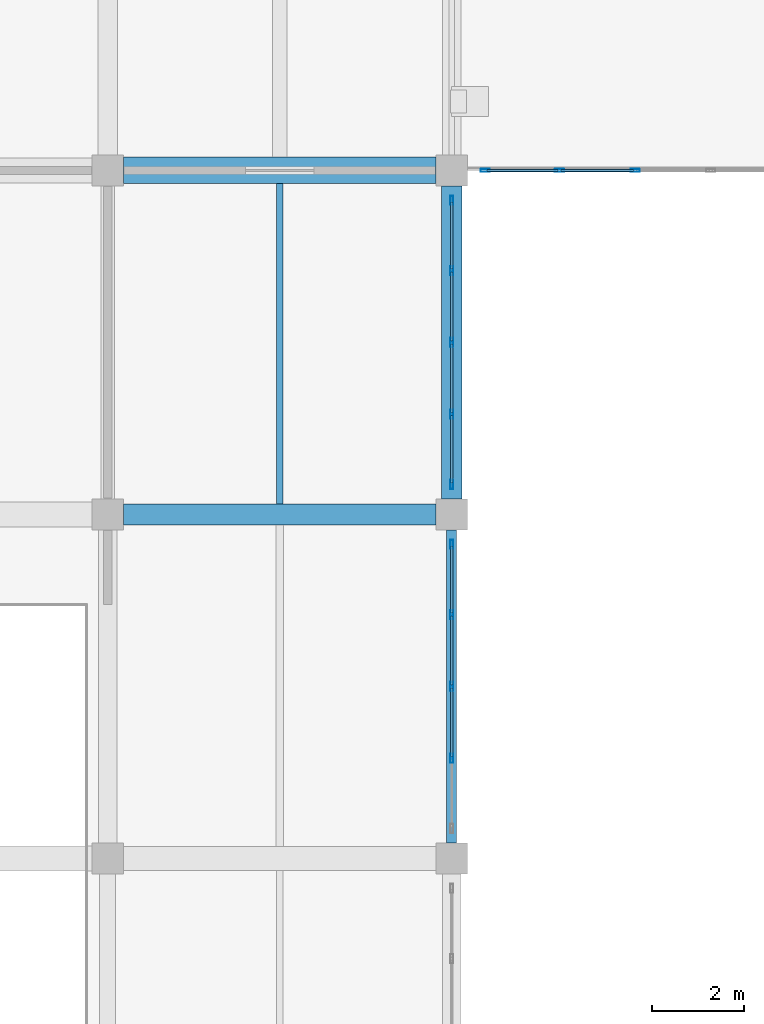
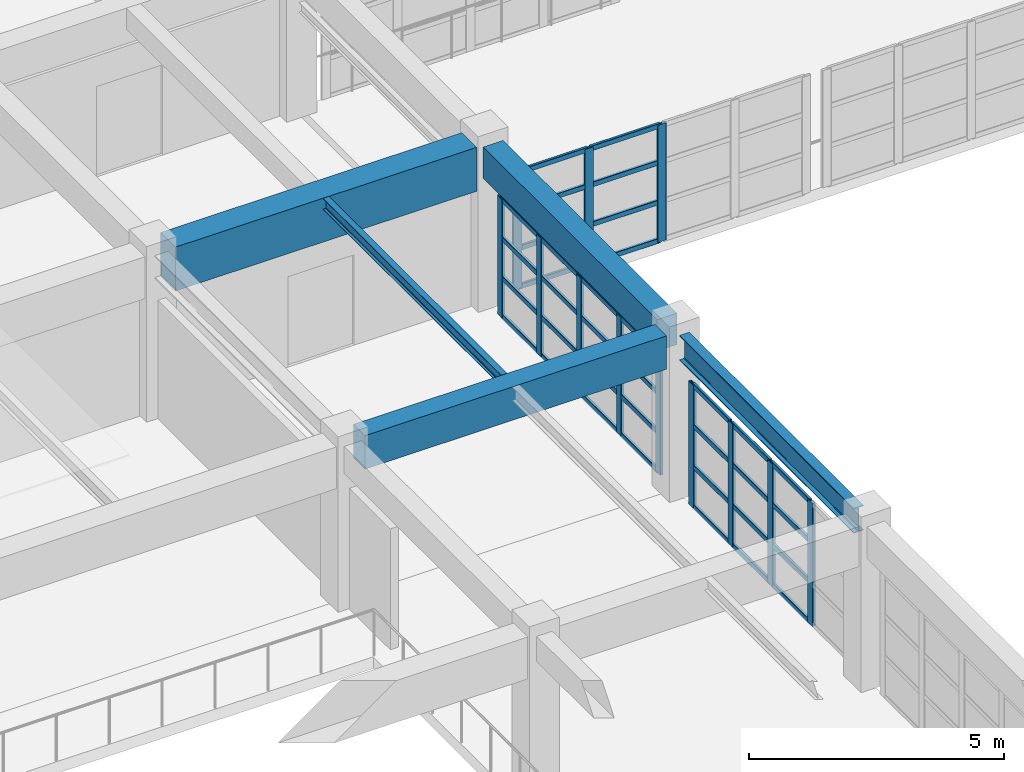
# One storey, part 11 of 132: 48 members, 5 beams, 3 elements without a shape of their own.
"""IFC4 building model written with IfcOpenShell, lengths in metres."""

from ifc_helpers import new_model, si_unit, direction, frame, origin, origin_2d, place, context, subcontext, project, spatial, rectangle, hollow_rectangle, i_section, extrude, material, material_profile, profile_set, type_object, element, aggregate, save


model = new_model("IFC4")

# Units and contexts
model_context = context("Model", 3, precision=1e-05, world=origin(), true_north=direction((0.0, 1.0)))
body_context = subcontext(model_context, "Body", "Model", "MODEL_VIEW")
ifc_project = project(units=[si_unit("LENGTHUNIT", "METRE"), si_unit("AREAUNIT", "SQUARE_METRE"), si_unit("VOLUMEUNIT", "CUBIC_METRE"), si_unit("PLANEANGLEUNIT", "RADIAN"), si_unit("MASSUNIT", "GRAM", prefix="KILO")], contexts=[model_context])

# Site, building, storey
site_placement = place(None, origin())
site = spatial("IfcSite", under=ifc_project, at=site_placement, CompositionType="ELEMENT")
building_placement = place(site_placement, origin())
building = spatial("IfcBuilding", under=site, at=building_placement, Name="Qasida Concert Hall", CompositionType="ELEMENT")
storey_placement = place(building_placement, frame((0.0, 0.0, 4.800048828125)))
storey = spatial("IfcBuildingStorey", under=building, at=storey_placement, Name="L01", CompositionType="ELEMENT", Elevation=4.800048828125)

# Beams
ifc_material_1 = material(Name="Concrete C40/50", Category="concrete")
ifc_material_profile_1 = material_profile(ifc_material_1, rectangle(XDim=0.449951171875, YDim=0.800048828125, at=origin_2d()), Name="RC 450x800")
ifc_profile_set_1 = profile_set([ifc_material_profile_1], Name="Concrete C40/50")
beam_type_1 = type_object("IfcBeamType", Name="BM-G2", PredefinedType="USERDEFINED", material=ifc_profile_set_1)
beam_1_placement = place(storey_placement, frame((30.340087890625, 22.5, 3.52001953125), z_axis=(1.0, 0.0, 0.0), x_axis=(0.0, 1.0, 0.0)))
element("IfcBeam", 1, at=beam_1_placement, inside=storey, type_object=beam_type_1, Name="Primary girder 0907", ObjectType="GIRDER", PredefinedType="USERDEFINED", context=body_context, shape_type="SweptSolid", body=[
    extrude(rectangle(XDim=0.449951171875, YDim=0.800048828125, at=origin_2d()), origin(), (0.0, 0.0, 1.0), 6.81982421875),
])
ifc_material_2 = material(Name="Concrete C50/60", Category="concrete")
ifc_material_profile_2 = material_profile(ifc_material_2, rectangle(XDim=0.580078125, YDim=1.050048828125, at=origin_2d()), Name="RC 580x1050")
ifc_profile_set_2 = profile_set([ifc_material_profile_2], Name="Concrete C50/60")
beam_type_2 = type_object("IfcBeamType", Name="BM-G8", PredefinedType="USERDEFINED", material=ifc_profile_set_2)
beam_2_placement = place(storey_placement, frame((30.340087890625, 30.0, 3.39501953125), z_axis=(1.0, 0.0, 0.0), x_axis=(0.0, 1.0, 0.0)))
element("IfcBeam", 2, at=beam_2_placement, inside=storey, type_object=beam_type_2, Name="Primary girder 0910", ObjectType="GIRDER", PredefinedType="USERDEFINED", context=body_context, shape_type="SweptSolid", body=[
    extrude(rectangle(XDim=0.580078125, YDim=1.050048828125, at=origin_2d()), origin(), (0.0, 0.0, 1.0), 6.81982421875),
])
ifc_material_3 = material(Name="Steel S355J2", Category="steel")
ifc_material_profile_3 = material_profile(ifc_material_3, i_section(OverallWidth=0.135009765625, OverallDepth=0.27001953125, WebThickness=0.006591796875, FlangeThickness=0.01025390625, FilletRadius=0.014892578125, at=origin_2d()), Name="IPE 270")
ifc_profile_set_3 = profile_set([ifc_material_profile_3], Name="Steel S355J2")
beam_type_3 = type_object("IfcBeamType", Name="BM-J6", PredefinedType="JOIST", material=ifc_profile_set_3)
beam_3_placement = place(storey_placement, frame((33.75, 22.72509765625, 3.784912109375), z_axis=(0.0, 1.0, 0.0), x_axis=(-1.0, 0.0, 0.0)))
element("IfcBeam", 3, at=beam_3_placement, inside=storey, type_object=beam_type_3, Name="L01 secondary joist 0973", PredefinedType="JOIST", context=body_context, shape_type="SweptSolid", body=[
    extrude(i_section(OverallWidth=0.135009765625, OverallDepth=0.27001953125, WebThickness=0.006591796875, FlangeThickness=0.01025390625, FilletRadius=0.014892578125, at=origin_2d()), origin(), (0.0, 0.0, 1.0), 6.98486328125),
])
ifc_material_profile_4 = material_profile(ifc_material_3, i_section(OverallWidth=0.219970703125, OverallDepth=0.60009765625, WebThickness=0.011962890625, FlangeThickness=0.01904296875, FilletRadius=0.02392578125, at=origin_2d()), Name="IPE 600")
ifc_profile_set_4 = profile_set([ifc_material_profile_4], Name="Steel S355J2")
beam_type_4 = type_object("IfcBeamType", Name="BM-SP3", PredefinedType="SPANDREL", material=ifc_profile_set_4)
beam_4_placement = place(storey_placement, frame((37.5, 15.340087890625, 3.619873046875), z_axis=(0.0, 1.0, 0.0), x_axis=(-1.0, 0.0, 0.0)))
element("IfcBeam", 4, at=beam_4_placement, inside=storey, type_object=beam_type_4, Name="L01 girder 0943", PredefinedType="SPANDREL", context=body_context, shape_type="SweptSolid", body=[
    extrude(i_section(OverallWidth=0.219970703125, OverallDepth=0.60009765625, WebThickness=0.011962890625, FlangeThickness=0.01904296875, FilletRadius=0.02392578125, at=origin_2d()), origin(), (0.0, 0.0, 1.0), 6.81982421875),
])
ifc_material_profile_5 = material_profile(ifc_material_1, rectangle(XDim=0.449951171875, YDim=0.75, at=origin_2d()), Name="RC 450x750")
ifc_profile_set_5 = profile_set([ifc_material_profile_5], Name="Concrete C40/50")
beam_type_5 = type_object("IfcBeamType", Name="BM-SP4", PredefinedType="SPANDREL", material=ifc_profile_set_5)
beam_5_placement = place(storey_placement, frame((37.5, 22.840087890625, 3.544921875), z_axis=(0.0, 1.0, 0.0), x_axis=(-1.0, 0.0, 0.0)))
element("IfcBeam", 5, at=beam_5_placement, inside=storey, type_object=beam_type_5, Name="L01 girder 0944", PredefinedType="SPANDREL", context=body_context, shape_type="SweptSolid", body=[
    extrude(rectangle(XDim=0.449951171875, YDim=0.75, at=origin_2d()), origin(), (0.0, 0.0, 1.0), 6.81982421875),
])

# Curtain wall, members
ifc_material_4 = material(Name="Architectural bronze-anodized aluminium and low-E glass", Category="aluminium")
curtain_wall_type_1 = type_object("IfcCurtainWallType", Name="CW-07", PredefinedType="NOTDEFINED", material=ifc_material_4)
curtain_wall_1_placement = place(storey_placement, origin())
curtain_wall_1 = element("IfcCurtainWall", 6, at=curtain_wall_1_placement, inside=storey, type_object=curtain_wall_type_1, Name="L01 curtain wall CW-07 0094", PredefinedType="NOTDEFINED")
ifc_material_5 = material(Name="Architectural bronze-anodized aluminium EN AW-6063", Category="aluminium")
ifc_material_profile_6 = material_profile(ifc_material_5, hollow_rectangle(XDim=0.06494140625, YDim=0.199951171875, WallThickness=0.0048828125, InnerFilletRadius=0.0048828125, OuterFilletRadius=0.010009765625, at=origin_2d()), Name="CWM 200x65x5")
ifc_profile_set_6 = profile_set([ifc_material_profile_6], Name="Architectural bronze-anodized aluminium EN AW-6063")
member_type_1 = type_object("IfcMemberType", Name="MB-CWM-2", PredefinedType="MULLION", material=ifc_profile_set_6)
member_1_placement = place(storey_placement, frame((37.5, 17.18505859375, 0.0), z_axis=(0.0, 0.0, 1.0), x_axis=(-1.0, 0.0, 0.0)))
member_1 = element("IfcMember", 7, at=member_1_placement, type_object=member_type_1, Name="CW-07 mullion 2", PredefinedType="MULLION", context=body_context, shape_type="SweptSolid", body=[
    extrude(hollow_rectangle(XDim=0.06494140625, YDim=0.199951171875, WallThickness=0.0048828125, InnerFilletRadius=0.0048828125, OuterFilletRadius=0.010009765625, at=origin_2d()), origin(), (0.0, 0.0, 1.0), 2.93994140625),
])
member_2_placement = place(storey_placement, frame((37.5, 18.75, 0.0), z_axis=(0.0, 0.0, 1.0), x_axis=(-1.0, 0.0, 0.0)))
member_2 = element("IfcMember", 8, at=member_2_placement, type_object=member_type_1, Name="CW-07 mullion 3", PredefinedType="MULLION", context=body_context, shape_type="SweptSolid", body=[
    extrude(hollow_rectangle(XDim=0.06494140625, YDim=0.199951171875, WallThickness=0.0048828125, InnerFilletRadius=0.0048828125, OuterFilletRadius=0.010009765625, at=origin_2d()), origin(), (0.0, 0.0, 1.0), 2.93994140625),
])
member_3_placement = place(storey_placement, frame((37.5, 20.31494140625, 0.0), z_axis=(0.0, 0.0, 1.0), x_axis=(-1.0, 0.0, 0.0)))
member_3 = element("IfcMember", 9, at=member_3_placement, type_object=member_type_1, Name="CW-07 mullion 4", PredefinedType="MULLION", context=body_context, shape_type="SweptSolid", body=[
    extrude(hollow_rectangle(XDim=0.06494140625, YDim=0.199951171875, WallThickness=0.0048828125, InnerFilletRadius=0.0048828125, OuterFilletRadius=0.010009765625, at=origin_2d()), origin(), (0.0, 0.0, 1.0), 2.93994140625),
])
member_4_placement = place(storey_placement, frame((37.5, 21.847412109375, 0.0), z_axis=(0.0, 0.0, 1.0), x_axis=(-1.0, 0.0, 0.0)))
member_4 = element("IfcMember", 10, at=member_4_placement, type_object=member_type_1, Name="CW-07 mullion 5", PredefinedType="MULLION", context=body_context, shape_type="SweptSolid", body=[
    extrude(hollow_rectangle(XDim=0.06494140625, YDim=0.199951171875, WallThickness=0.0048828125, InnerFilletRadius=0.0048828125, OuterFilletRadius=0.010009765625, at=origin_2d()), origin(), (0.0, 0.0, 1.0), 2.93994140625),
])

curtain_wall_2_placement = place(storey_placement, origin())
curtain_wall_2 = element("IfcCurtainWall", 11, at=curtain_wall_2_placement, inside=storey, type_object=curtain_wall_type_1, Name="L01 curtain wall CW-07 0095", PredefinedType="NOTDEFINED")
member_5_placement = place(storey_placement, frame((37.5, 23.152587890625, 0.0), z_axis=(0.0, 0.0, 1.0), x_axis=(-1.0, 0.0, 0.0)))
member_5 = element("IfcMember", 12, at=member_5_placement, type_object=member_type_1, Name="CW-07 mullion 1", PredefinedType="MULLION", context=body_context, shape_type="SweptSolid", body=[
    extrude(hollow_rectangle(XDim=0.06494140625, YDim=0.199951171875, WallThickness=0.0048828125, InnerFilletRadius=0.0048828125, OuterFilletRadius=0.010009765625, at=origin_2d()), origin(), (0.0, 0.0, 1.0), 2.83984375),
])
member_6_placement = place(storey_placement, frame((37.5, 24.68505859375, 0.0), z_axis=(0.0, 0.0, 1.0), x_axis=(-1.0, 0.0, 0.0)))
member_6 = element("IfcMember", 13, at=member_6_placement, type_object=member_type_1, Name="CW-07 mullion 2", PredefinedType="MULLION", context=body_context, shape_type="SweptSolid", body=[
    extrude(hollow_rectangle(XDim=0.06494140625, YDim=0.199951171875, WallThickness=0.0048828125, InnerFilletRadius=0.0048828125, OuterFilletRadius=0.010009765625, at=origin_2d()), origin(), (0.0, 0.0, 1.0), 2.83984375),
])
member_7_placement = place(storey_placement, frame((37.5, 26.25, 0.0), z_axis=(0.0, 0.0, 1.0), x_axis=(-1.0, 0.0, 0.0)))
member_7 = element("IfcMember", 14, at=member_7_placement, type_object=member_type_1, Name="CW-07 mullion 3", PredefinedType="MULLION", context=body_context, shape_type="SweptSolid", body=[
    extrude(hollow_rectangle(XDim=0.06494140625, YDim=0.199951171875, WallThickness=0.0048828125, InnerFilletRadius=0.0048828125, OuterFilletRadius=0.010009765625, at=origin_2d()), origin(), (0.0, 0.0, 1.0), 2.83984375),
])
member_8_placement = place(storey_placement, frame((37.5, 27.81494140625, 0.0), z_axis=(0.0, 0.0, 1.0), x_axis=(-1.0, 0.0, 0.0)))
member_8 = element("IfcMember", 15, at=member_8_placement, type_object=member_type_1, Name="CW-07 mullion 4", PredefinedType="MULLION", context=body_context, shape_type="SweptSolid", body=[
    extrude(hollow_rectangle(XDim=0.06494140625, YDim=0.199951171875, WallThickness=0.0048828125, InnerFilletRadius=0.0048828125, OuterFilletRadius=0.010009765625, at=origin_2d()), origin(), (0.0, 0.0, 1.0), 2.83984375),
])
member_9_placement = place(storey_placement, frame((37.5, 29.347412109375, 0.0), z_axis=(0.0, 0.0, 1.0), x_axis=(-1.0, 0.0, 0.0)))
member_9 = element("IfcMember", 16, at=member_9_placement, type_object=member_type_1, Name="CW-07 mullion 5", PredefinedType="MULLION", context=body_context, shape_type="SweptSolid", body=[
    extrude(hollow_rectangle(XDim=0.06494140625, YDim=0.199951171875, WallThickness=0.0048828125, InnerFilletRadius=0.0048828125, OuterFilletRadius=0.010009765625, at=origin_2d()), origin(), (0.0, 0.0, 1.0), 2.83984375),
])

curtain_wall_type_2 = type_object("IfcCurtainWallType", Name="CW-08", PredefinedType="NOTDEFINED", material=ifc_material_4)
curtain_wall_3_placement = place(storey_placement, origin())
curtain_wall_3 = element("IfcCurtainWall", 17, at=curtain_wall_3_placement, inside=storey, type_object=curtain_wall_type_2, Name="L01 link bridge glazing 0198", PredefinedType="NOTDEFINED")
member_10_placement = place(storey_placement, frame((38.232421875, 30.0, 0.0), z_axis=(0.0, 0.0, 1.0), x_axis=(0.0, 1.0, 0.0)))
member_10 = element("IfcMember", 18, at=member_10_placement, type_object=member_type_1, Name="CW-08 mullion 1", PredefinedType="MULLION", context=body_context, shape_type="SweptSolid", body=[
    extrude(hollow_rectangle(XDim=0.06494140625, YDim=0.199951171875, WallThickness=0.0048828125, InnerFilletRadius=0.0048828125, OuterFilletRadius=0.010009765625, at=origin_2d()), origin(), (0.0, 0.0, 1.0), 2.800048828125),
])
member_11_placement = place(storey_placement, frame((39.85009765625, 30.0, 0.0), z_axis=(0.0, 0.0, 1.0), x_axis=(0.0, 1.0, 0.0)))
member_11 = element("IfcMember", 19, at=member_11_placement, type_object=member_type_1, Name="CW-08 mullion 2", PredefinedType="MULLION", context=body_context, shape_type="SweptSolid", body=[
    extrude(hollow_rectangle(XDim=0.06494140625, YDim=0.199951171875, WallThickness=0.0048828125, InnerFilletRadius=0.0048828125, OuterFilletRadius=0.010009765625, at=origin_2d()), origin(), (0.0, 0.0, 1.0), 2.800048828125),
])
member_12_placement = place(storey_placement, frame((41.5, 30.0, 0.0), z_axis=(0.0, 0.0, 1.0), x_axis=(0.0, 1.0, 0.0)))
member_12 = element("IfcMember", 20, at=member_12_placement, type_object=member_type_1, Name="CW-08 mullion 3", PredefinedType="MULLION", context=body_context, shape_type="SweptSolid", body=[
    extrude(hollow_rectangle(XDim=0.06494140625, YDim=0.199951171875, WallThickness=0.0048828125, InnerFilletRadius=0.0048828125, OuterFilletRadius=0.010009765625, at=origin_2d()), origin(), (0.0, 0.0, 1.0), 2.800048828125),
])

# Member
ifc_material_profile_7 = material_profile(ifc_material_5, hollow_rectangle(XDim=0.06005859375, YDim=0.1201171875, WallThickness=0.00390625, InnerFilletRadius=0.00390625, OuterFilletRadius=0.008056640625, at=origin_2d()), Name="CWT 120x60x4")
ifc_profile_set_7 = profile_set([ifc_material_profile_7], Name="Architectural bronze-anodized aluminium EN AW-6063")
member_type_2 = type_object("IfcMemberType", Name="MB-CWT-2", PredefinedType="USERDEFINED", material=ifc_profile_set_7)
member_13_placement = place(storey_placement, frame((37.5, 17.217529296875, 0.030029296875), z_axis=(0.0, 1.0, 0.0), x_axis=(-1.0, 0.0, 0.0)))
member_13 = element("IfcMember", 21, at=member_13_placement, type_object=member_type_2, Name="CW-07 transom 2.1", ObjectType="TRANSOM", PredefinedType="USERDEFINED", context=body_context, shape_type="SweptSolid", body=[
    extrude(hollow_rectangle(XDim=0.06005859375, YDim=0.1201171875, WallThickness=0.00390625, InnerFilletRadius=0.00390625, OuterFilletRadius=0.008056640625, at=origin_2d()), origin(), (0.0, 0.0, 1.0), 1.5),
])

member_14_placement = place(storey_placement, frame((37.5, 17.217529296875, 0.97998046875), z_axis=(0.0, 1.0, 0.0), x_axis=(-1.0, 0.0, 0.0)))
member_14 = element("IfcMember", 22, at=member_14_placement, type_object=member_type_2, Name="CW-07 transom 2.2", ObjectType="TRANSOM", PredefinedType="USERDEFINED", context=body_context, shape_type="SweptSolid", body=[
    extrude(hollow_rectangle(XDim=0.06005859375, YDim=0.1201171875, WallThickness=0.00390625, InnerFilletRadius=0.00390625, OuterFilletRadius=0.008056640625, at=origin_2d()), origin(), (0.0, 0.0, 1.0), 1.5),
])

member_15_placement = place(storey_placement, frame((37.5, 17.217529296875, 1.9599609375), z_axis=(0.0, 1.0, 0.0), x_axis=(-1.0, 0.0, 0.0)))
member_15 = element("IfcMember", 23, at=member_15_placement, type_object=member_type_2, Name="CW-07 transom 2.3", ObjectType="TRANSOM", PredefinedType="USERDEFINED", context=body_context, shape_type="SweptSolid", body=[
    extrude(hollow_rectangle(XDim=0.06005859375, YDim=0.1201171875, WallThickness=0.00390625, InnerFilletRadius=0.00390625, OuterFilletRadius=0.008056640625, at=origin_2d()), origin(), (0.0, 0.0, 1.0), 1.5),
])

member_16_placement = place(storey_placement, frame((37.5, 17.217529296875, 2.909912109375), z_axis=(0.0, 1.0, 0.0), x_axis=(-1.0, 0.0, 0.0)))
member_16 = element("IfcMember", 24, at=member_16_placement, type_object=member_type_2, Name="CW-07 transom 2.4", ObjectType="TRANSOM", PredefinedType="USERDEFINED", context=body_context, shape_type="SweptSolid", body=[
    extrude(hollow_rectangle(XDim=0.06005859375, YDim=0.1201171875, WallThickness=0.00390625, InnerFilletRadius=0.00390625, OuterFilletRadius=0.008056640625, at=origin_2d()), origin(), (0.0, 0.0, 1.0), 1.5),
])

member_17_placement = place(storey_placement, frame((37.5, 18.782470703125, 0.030029296875), z_axis=(0.0, 1.0, 0.0), x_axis=(-1.0, 0.0, 0.0)))
member_17 = element("IfcMember", 25, at=member_17_placement, type_object=member_type_2, Name="CW-07 transom 3.1", ObjectType="TRANSOM", PredefinedType="USERDEFINED", context=body_context, shape_type="SweptSolid", body=[
    extrude(hollow_rectangle(XDim=0.06005859375, YDim=0.1201171875, WallThickness=0.00390625, InnerFilletRadius=0.00390625, OuterFilletRadius=0.008056640625, at=origin_2d()), origin(), (0.0, 0.0, 1.0), 1.5),
])

member_18_placement = place(storey_placement, frame((37.5, 18.782470703125, 0.97998046875), z_axis=(0.0, 1.0, 0.0), x_axis=(-1.0, 0.0, 0.0)))
member_18 = element("IfcMember", 26, at=member_18_placement, type_object=member_type_2, Name="CW-07 transom 3.2", ObjectType="TRANSOM", PredefinedType="USERDEFINED", context=body_context, shape_type="SweptSolid", body=[
    extrude(hollow_rectangle(XDim=0.06005859375, YDim=0.1201171875, WallThickness=0.00390625, InnerFilletRadius=0.00390625, OuterFilletRadius=0.008056640625, at=origin_2d()), origin(), (0.0, 0.0, 1.0), 1.5),
])

member_19_placement = place(storey_placement, frame((37.5, 18.782470703125, 1.9599609375), z_axis=(0.0, 1.0, 0.0), x_axis=(-1.0, 0.0, 0.0)))
member_19 = element("IfcMember", 27, at=member_19_placement, type_object=member_type_2, Name="CW-07 transom 3.3", ObjectType="TRANSOM", PredefinedType="USERDEFINED", context=body_context, shape_type="SweptSolid", body=[
    extrude(hollow_rectangle(XDim=0.06005859375, YDim=0.1201171875, WallThickness=0.00390625, InnerFilletRadius=0.00390625, OuterFilletRadius=0.008056640625, at=origin_2d()), origin(), (0.0, 0.0, 1.0), 1.5),
])

member_20_placement = place(storey_placement, frame((37.5, 18.782470703125, 2.909912109375), z_axis=(0.0, 1.0, 0.0), x_axis=(-1.0, 0.0, 0.0)))
member_20 = element("IfcMember", 28, at=member_20_placement, type_object=member_type_2, Name="CW-07 transom 3.4", ObjectType="TRANSOM", PredefinedType="USERDEFINED", context=body_context, shape_type="SweptSolid", body=[
    extrude(hollow_rectangle(XDim=0.06005859375, YDim=0.1201171875, WallThickness=0.00390625, InnerFilletRadius=0.00390625, OuterFilletRadius=0.008056640625, at=origin_2d()), origin(), (0.0, 0.0, 1.0), 1.5),
])

member_21_placement = place(storey_placement, frame((37.5, 20.347412109375, 0.030029296875), z_axis=(0.0, 1.0, 0.0), x_axis=(-1.0, 0.0, 0.0)))
member_21 = element("IfcMember", 29, at=member_21_placement, type_object=member_type_2, Name="CW-07 transom 4.1", ObjectType="TRANSOM", PredefinedType="USERDEFINED", context=body_context, shape_type="SweptSolid", body=[
    extrude(hollow_rectangle(XDim=0.06005859375, YDim=0.1201171875, WallThickness=0.00390625, InnerFilletRadius=0.00390625, OuterFilletRadius=0.008056640625, at=origin_2d()), origin(), (0.0, 0.0, 1.0), 1.467529296875),
])

member_22_placement = place(storey_placement, frame((37.5, 20.347412109375, 0.97998046875), z_axis=(0.0, 1.0, 0.0), x_axis=(-1.0, 0.0, 0.0)))
member_22 = element("IfcMember", 30, at=member_22_placement, type_object=member_type_2, Name="CW-07 transom 4.2", ObjectType="TRANSOM", PredefinedType="USERDEFINED", context=body_context, shape_type="SweptSolid", body=[
    extrude(hollow_rectangle(XDim=0.06005859375, YDim=0.1201171875, WallThickness=0.00390625, InnerFilletRadius=0.00390625, OuterFilletRadius=0.008056640625, at=origin_2d()), origin(), (0.0, 0.0, 1.0), 1.467529296875),
])

member_23_placement = place(storey_placement, frame((37.5, 20.347412109375, 1.9599609375), z_axis=(0.0, 1.0, 0.0), x_axis=(-1.0, 0.0, 0.0)))
member_23 = element("IfcMember", 31, at=member_23_placement, type_object=member_type_2, Name="CW-07 transom 4.3", ObjectType="TRANSOM", PredefinedType="USERDEFINED", context=body_context, shape_type="SweptSolid", body=[
    extrude(hollow_rectangle(XDim=0.06005859375, YDim=0.1201171875, WallThickness=0.00390625, InnerFilletRadius=0.00390625, OuterFilletRadius=0.008056640625, at=origin_2d()), origin(), (0.0, 0.0, 1.0), 1.467529296875),
])

member_24_placement = place(storey_placement, frame((37.5, 20.347412109375, 2.909912109375), z_axis=(0.0, 1.0, 0.0), x_axis=(-1.0, 0.0, 0.0)))
member_24 = element("IfcMember", 32, at=member_24_placement, type_object=member_type_2, Name="CW-07 transom 4.4", ObjectType="TRANSOM", PredefinedType="USERDEFINED", context=body_context, shape_type="SweptSolid", body=[
    extrude(hollow_rectangle(XDim=0.06005859375, YDim=0.1201171875, WallThickness=0.00390625, InnerFilletRadius=0.00390625, OuterFilletRadius=0.008056640625, at=origin_2d()), origin(), (0.0, 0.0, 1.0), 1.467529296875),
])

aggregate(curtain_wall_1, [member_1, member_2, member_3, member_4, member_13, member_14, member_15, member_16, member_17, member_18, member_19, member_20, member_21, member_22, member_23, member_24])

member_25_placement = place(storey_placement, frame((37.5, 23.18505859375, 0.030029296875), z_axis=(0.0, 1.0, 0.0), x_axis=(-1.0, 0.0, 0.0)))
member_25 = element("IfcMember", 33, at=member_25_placement, type_object=member_type_2, Name="CW-07 transom 1.1", ObjectType="TRANSOM", PredefinedType="USERDEFINED", context=body_context, shape_type="SweptSolid", body=[
    extrude(hollow_rectangle(XDim=0.06005859375, YDim=0.1201171875, WallThickness=0.00390625, InnerFilletRadius=0.00390625, OuterFilletRadius=0.008056640625, at=origin_2d()), origin(), (0.0, 0.0, 1.0), 1.467529296875),
])

member_26_placement = place(storey_placement, frame((37.5, 23.18505859375, 0.946533203125), z_axis=(0.0, 1.0, 0.0), x_axis=(-1.0, 0.0, 0.0)))
member_26 = element("IfcMember", 34, at=member_26_placement, type_object=member_type_2, Name="CW-07 transom 1.2", ObjectType="TRANSOM", PredefinedType="USERDEFINED", context=body_context, shape_type="SweptSolid", body=[
    extrude(hollow_rectangle(XDim=0.06005859375, YDim=0.1201171875, WallThickness=0.00390625, InnerFilletRadius=0.00390625, OuterFilletRadius=0.008056640625, at=origin_2d()), origin(), (0.0, 0.0, 1.0), 1.467529296875),
])

member_27_placement = place(storey_placement, frame((37.5, 23.18505859375, 1.893310546875), z_axis=(0.0, 1.0, 0.0), x_axis=(-1.0, 0.0, 0.0)))
member_27 = element("IfcMember", 35, at=member_27_placement, type_object=member_type_2, Name="CW-07 transom 1.3", ObjectType="TRANSOM", PredefinedType="USERDEFINED", context=body_context, shape_type="SweptSolid", body=[
    extrude(hollow_rectangle(XDim=0.06005859375, YDim=0.1201171875, WallThickness=0.00390625, InnerFilletRadius=0.00390625, OuterFilletRadius=0.008056640625, at=origin_2d()), origin(), (0.0, 0.0, 1.0), 1.467529296875),
])

member_28_placement = place(storey_placement, frame((37.5, 23.18505859375, 2.81005859375), z_axis=(0.0, 1.0, 0.0), x_axis=(-1.0, 0.0, 0.0)))
member_28 = element("IfcMember", 36, at=member_28_placement, type_object=member_type_2, Name="CW-07 transom 1.4", ObjectType="TRANSOM", PredefinedType="USERDEFINED", context=body_context, shape_type="SweptSolid", body=[
    extrude(hollow_rectangle(XDim=0.06005859375, YDim=0.1201171875, WallThickness=0.00390625, InnerFilletRadius=0.00390625, OuterFilletRadius=0.008056640625, at=origin_2d()), origin(), (0.0, 0.0, 1.0), 1.467529296875),
])

member_29_placement = place(storey_placement, frame((37.5, 24.717529296875, 0.030029296875), z_axis=(0.0, 1.0, 0.0), x_axis=(-1.0, 0.0, 0.0)))
member_29 = element("IfcMember", 37, at=member_29_placement, type_object=member_type_2, Name="CW-07 transom 2.1", ObjectType="TRANSOM", PredefinedType="USERDEFINED", context=body_context, shape_type="SweptSolid", body=[
    extrude(hollow_rectangle(XDim=0.06005859375, YDim=0.1201171875, WallThickness=0.00390625, InnerFilletRadius=0.00390625, OuterFilletRadius=0.008056640625, at=origin_2d()), origin(), (0.0, 0.0, 1.0), 1.5),
])

member_30_placement = place(storey_placement, frame((37.5, 24.717529296875, 0.946533203125), z_axis=(0.0, 1.0, 0.0), x_axis=(-1.0, 0.0, 0.0)))
member_30 = element("IfcMember", 38, at=member_30_placement, type_object=member_type_2, Name="CW-07 transom 2.2", ObjectType="TRANSOM", PredefinedType="USERDEFINED", context=body_context, shape_type="SweptSolid", body=[
    extrude(hollow_rectangle(XDim=0.06005859375, YDim=0.1201171875, WallThickness=0.00390625, InnerFilletRadius=0.00390625, OuterFilletRadius=0.008056640625, at=origin_2d()), origin(), (0.0, 0.0, 1.0), 1.5),
])

member_31_placement = place(storey_placement, frame((37.5, 24.717529296875, 1.893310546875), z_axis=(0.0, 1.0, 0.0), x_axis=(-1.0, 0.0, 0.0)))
member_31 = element("IfcMember", 39, at=member_31_placement, type_object=member_type_2, Name="CW-07 transom 2.3", ObjectType="TRANSOM", PredefinedType="USERDEFINED", context=body_context, shape_type="SweptSolid", body=[
    extrude(hollow_rectangle(XDim=0.06005859375, YDim=0.1201171875, WallThickness=0.00390625, InnerFilletRadius=0.00390625, OuterFilletRadius=0.008056640625, at=origin_2d()), origin(), (0.0, 0.0, 1.0), 1.5),
])

member_32_placement = place(storey_placement, frame((37.5, 24.717529296875, 2.81005859375), z_axis=(0.0, 1.0, 0.0), x_axis=(-1.0, 0.0, 0.0)))
member_32 = element("IfcMember", 40, at=member_32_placement, type_object=member_type_2, Name="CW-07 transom 2.4", ObjectType="TRANSOM", PredefinedType="USERDEFINED", context=body_context, shape_type="SweptSolid", body=[
    extrude(hollow_rectangle(XDim=0.06005859375, YDim=0.1201171875, WallThickness=0.00390625, InnerFilletRadius=0.00390625, OuterFilletRadius=0.008056640625, at=origin_2d()), origin(), (0.0, 0.0, 1.0), 1.5),
])

member_33_placement = place(storey_placement, frame((37.5, 26.282470703125, 0.030029296875), z_axis=(0.0, 1.0, 0.0), x_axis=(-1.0, 0.0, 0.0)))
member_33 = element("IfcMember", 41, at=member_33_placement, type_object=member_type_2, Name="CW-07 transom 3.1", ObjectType="TRANSOM", PredefinedType="USERDEFINED", context=body_context, shape_type="SweptSolid", body=[
    extrude(hollow_rectangle(XDim=0.06005859375, YDim=0.1201171875, WallThickness=0.00390625, InnerFilletRadius=0.00390625, OuterFilletRadius=0.008056640625, at=origin_2d()), origin(), (0.0, 0.0, 1.0), 1.5),
])

member_34_placement = place(storey_placement, frame((37.5, 26.282470703125, 0.946533203125), z_axis=(0.0, 1.0, 0.0), x_axis=(-1.0, 0.0, 0.0)))
member_34 = element("IfcMember", 42, at=member_34_placement, type_object=member_type_2, Name="CW-07 transom 3.2", ObjectType="TRANSOM", PredefinedType="USERDEFINED", context=body_context, shape_type="SweptSolid", body=[
    extrude(hollow_rectangle(XDim=0.06005859375, YDim=0.1201171875, WallThickness=0.00390625, InnerFilletRadius=0.00390625, OuterFilletRadius=0.008056640625, at=origin_2d()), origin(), (0.0, 0.0, 1.0), 1.5),
])

member_35_placement = place(storey_placement, frame((37.5, 26.282470703125, 1.893310546875), z_axis=(0.0, 1.0, 0.0), x_axis=(-1.0, 0.0, 0.0)))
member_35 = element("IfcMember", 43, at=member_35_placement, type_object=member_type_2, Name="CW-07 transom 3.3", ObjectType="TRANSOM", PredefinedType="USERDEFINED", context=body_context, shape_type="SweptSolid", body=[
    extrude(hollow_rectangle(XDim=0.06005859375, YDim=0.1201171875, WallThickness=0.00390625, InnerFilletRadius=0.00390625, OuterFilletRadius=0.008056640625, at=origin_2d()), origin(), (0.0, 0.0, 1.0), 1.5),
])

member_36_placement = place(storey_placement, frame((37.5, 26.282470703125, 2.81005859375), z_axis=(0.0, 1.0, 0.0), x_axis=(-1.0, 0.0, 0.0)))
member_36 = element("IfcMember", 44, at=member_36_placement, type_object=member_type_2, Name="CW-07 transom 3.4", ObjectType="TRANSOM", PredefinedType="USERDEFINED", context=body_context, shape_type="SweptSolid", body=[
    extrude(hollow_rectangle(XDim=0.06005859375, YDim=0.1201171875, WallThickness=0.00390625, InnerFilletRadius=0.00390625, OuterFilletRadius=0.008056640625, at=origin_2d()), origin(), (0.0, 0.0, 1.0), 1.5),
])

member_37_placement = place(storey_placement, frame((37.5, 27.847412109375, 0.030029296875), z_axis=(0.0, 1.0, 0.0), x_axis=(-1.0, 0.0, 0.0)))
member_37 = element("IfcMember", 45, at=member_37_placement, type_object=member_type_2, Name="CW-07 transom 4.1", ObjectType="TRANSOM", PredefinedType="USERDEFINED", context=body_context, shape_type="SweptSolid", body=[
    extrude(hollow_rectangle(XDim=0.06005859375, YDim=0.1201171875, WallThickness=0.00390625, InnerFilletRadius=0.00390625, OuterFilletRadius=0.008056640625, at=origin_2d()), origin(), (0.0, 0.0, 1.0), 1.467529296875),
])

member_38_placement = place(storey_placement, frame((37.5, 27.847412109375, 0.946533203125), z_axis=(0.0, 1.0, 0.0), x_axis=(-1.0, 0.0, 0.0)))
member_38 = element("IfcMember", 46, at=member_38_placement, type_object=member_type_2, Name="CW-07 transom 4.2", ObjectType="TRANSOM", PredefinedType="USERDEFINED", context=body_context, shape_type="SweptSolid", body=[
    extrude(hollow_rectangle(XDim=0.06005859375, YDim=0.1201171875, WallThickness=0.00390625, InnerFilletRadius=0.00390625, OuterFilletRadius=0.008056640625, at=origin_2d()), origin(), (0.0, 0.0, 1.0), 1.467529296875),
])

member_39_placement = place(storey_placement, frame((37.5, 27.847412109375, 1.893310546875), z_axis=(0.0, 1.0, 0.0), x_axis=(-1.0, 0.0, 0.0)))
member_39 = element("IfcMember", 47, at=member_39_placement, type_object=member_type_2, Name="CW-07 transom 4.3", ObjectType="TRANSOM", PredefinedType="USERDEFINED", context=body_context, shape_type="SweptSolid", body=[
    extrude(hollow_rectangle(XDim=0.06005859375, YDim=0.1201171875, WallThickness=0.00390625, InnerFilletRadius=0.00390625, OuterFilletRadius=0.008056640625, at=origin_2d()), origin(), (0.0, 0.0, 1.0), 1.467529296875),
])

member_40_placement = place(storey_placement, frame((37.5, 27.847412109375, 2.81005859375), z_axis=(0.0, 1.0, 0.0), x_axis=(-1.0, 0.0, 0.0)))
member_40 = element("IfcMember", 48, at=member_40_placement, type_object=member_type_2, Name="CW-07 transom 4.4", ObjectType="TRANSOM", PredefinedType="USERDEFINED", context=body_context, shape_type="SweptSolid", body=[
    extrude(hollow_rectangle(XDim=0.06005859375, YDim=0.1201171875, WallThickness=0.00390625, InnerFilletRadius=0.00390625, OuterFilletRadius=0.008056640625, at=origin_2d()), origin(), (0.0, 0.0, 1.0), 1.467529296875),
])

aggregate(curtain_wall_2, [member_5, member_6, member_7, member_8, member_9, member_25, member_26, member_27, member_28, member_29, member_30, member_31, member_32, member_33, member_34, member_35, member_36, member_37, member_38, member_39, member_40])

member_41_placement = place(storey_placement, frame((38.264892578125, 30.0, 0.030029296875), z_axis=(1.0, 0.0, 0.0), x_axis=(0.0, 1.0, 0.0)))
member_41 = element("IfcMember", 49, at=member_41_placement, type_object=member_type_2, Name="CW-08 transom 1.1", ObjectType="TRANSOM", PredefinedType="USERDEFINED", context=body_context, shape_type="SweptSolid", body=[
    extrude(hollow_rectangle(XDim=0.06005859375, YDim=0.1201171875, WallThickness=0.00390625, InnerFilletRadius=0.00390625, OuterFilletRadius=0.008056640625, at=origin_2d()), origin(), (0.0, 0.0, 1.0), 1.552490234375),
])

member_42_placement = place(storey_placement, frame((38.264892578125, 30.0, 0.949951171875), z_axis=(1.0, 0.0, 0.0), x_axis=(0.0, 1.0, 0.0)))
member_42 = element("IfcMember", 50, at=member_42_placement, type_object=member_type_2, Name="CW-08 transom 1.2", ObjectType="TRANSOM", PredefinedType="USERDEFINED", context=body_context, shape_type="SweptSolid", body=[
    extrude(hollow_rectangle(XDim=0.06005859375, YDim=0.1201171875, WallThickness=0.00390625, InnerFilletRadius=0.00390625, OuterFilletRadius=0.008056640625, at=origin_2d()), origin(), (0.0, 0.0, 1.0), 1.552490234375),
])

member_43_placement = place(storey_placement, frame((38.264892578125, 30.0, 1.89990234375), z_axis=(1.0, 0.0, 0.0), x_axis=(0.0, 1.0, 0.0)))
member_43 = element("IfcMember", 51, at=member_43_placement, type_object=member_type_2, Name="CW-08 transom 1.3", ObjectType="TRANSOM", PredefinedType="USERDEFINED", context=body_context, shape_type="SweptSolid", body=[
    extrude(hollow_rectangle(XDim=0.06005859375, YDim=0.1201171875, WallThickness=0.00390625, InnerFilletRadius=0.00390625, OuterFilletRadius=0.008056640625, at=origin_2d()), origin(), (0.0, 0.0, 1.0), 1.552490234375),
])

member_44_placement = place(storey_placement, frame((38.264892578125, 30.0, 2.77001953125), z_axis=(1.0, 0.0, 0.0), x_axis=(0.0, 1.0, 0.0)))
member_44 = element("IfcMember", 52, at=member_44_placement, type_object=member_type_2, Name="CW-08 transom 1.4", ObjectType="TRANSOM", PredefinedType="USERDEFINED", context=body_context, shape_type="SweptSolid", body=[
    extrude(hollow_rectangle(XDim=0.06005859375, YDim=0.1201171875, WallThickness=0.00390625, InnerFilletRadius=0.00390625, OuterFilletRadius=0.008056640625, at=origin_2d()), origin(), (0.0, 0.0, 1.0), 1.552490234375),
])

member_45_placement = place(storey_placement, frame((39.882568359375, 30.0, 0.030029296875), z_axis=(1.0, 0.0, 0.0), x_axis=(0.0, 1.0, 0.0)))
member_45 = element("IfcMember", 53, at=member_45_placement, type_object=member_type_2, Name="CW-08 transom 2.1", ObjectType="TRANSOM", PredefinedType="USERDEFINED", context=body_context, shape_type="SweptSolid", body=[
    extrude(hollow_rectangle(XDim=0.06005859375, YDim=0.1201171875, WallThickness=0.00390625, InnerFilletRadius=0.00390625, OuterFilletRadius=0.008056640625, at=origin_2d()), origin(), (0.0, 0.0, 1.0), 1.5849609375),
])

member_46_placement = place(storey_placement, frame((39.882568359375, 30.0, 0.949951171875), z_axis=(1.0, 0.0, 0.0), x_axis=(0.0, 1.0, 0.0)))
member_46 = element("IfcMember", 54, at=member_46_placement, type_object=member_type_2, Name="CW-08 transom 2.2", ObjectType="TRANSOM", PredefinedType="USERDEFINED", context=body_context, shape_type="SweptSolid", body=[
    extrude(hollow_rectangle(XDim=0.06005859375, YDim=0.1201171875, WallThickness=0.00390625, InnerFilletRadius=0.00390625, OuterFilletRadius=0.008056640625, at=origin_2d()), origin(), (0.0, 0.0, 1.0), 1.5849609375),
])

member_47_placement = place(storey_placement, frame((39.882568359375, 30.0, 1.89990234375), z_axis=(1.0, 0.0, 0.0), x_axis=(0.0, 1.0, 0.0)))
member_47 = element("IfcMember", 55, at=member_47_placement, type_object=member_type_2, Name="CW-08 transom 2.3", ObjectType="TRANSOM", PredefinedType="USERDEFINED", context=body_context, shape_type="SweptSolid", body=[
    extrude(hollow_rectangle(XDim=0.06005859375, YDim=0.1201171875, WallThickness=0.00390625, InnerFilletRadius=0.00390625, OuterFilletRadius=0.008056640625, at=origin_2d()), origin(), (0.0, 0.0, 1.0), 1.5849609375),
])

member_48_placement = place(storey_placement, frame((39.882568359375, 30.0, 2.77001953125), z_axis=(1.0, 0.0, 0.0), x_axis=(0.0, 1.0, 0.0)))
member_48 = element("IfcMember", 56, at=member_48_placement, type_object=member_type_2, Name="CW-08 transom 2.4", ObjectType="TRANSOM", PredefinedType="USERDEFINED", context=body_context, shape_type="SweptSolid", body=[
    extrude(hollow_rectangle(XDim=0.06005859375, YDim=0.1201171875, WallThickness=0.00390625, InnerFilletRadius=0.00390625, OuterFilletRadius=0.008056640625, at=origin_2d()), origin(), (0.0, 0.0, 1.0), 1.5849609375),
])

aggregate(curtain_wall_3, [member_10, member_11, member_12, member_41, member_42, member_43, member_44, member_45, member_46, member_47, member_48])

save(model, "model.ifc")
